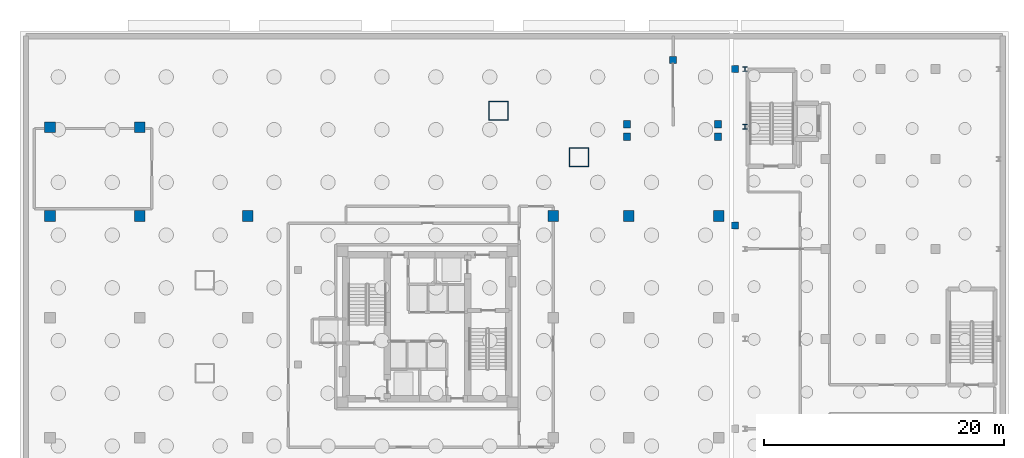
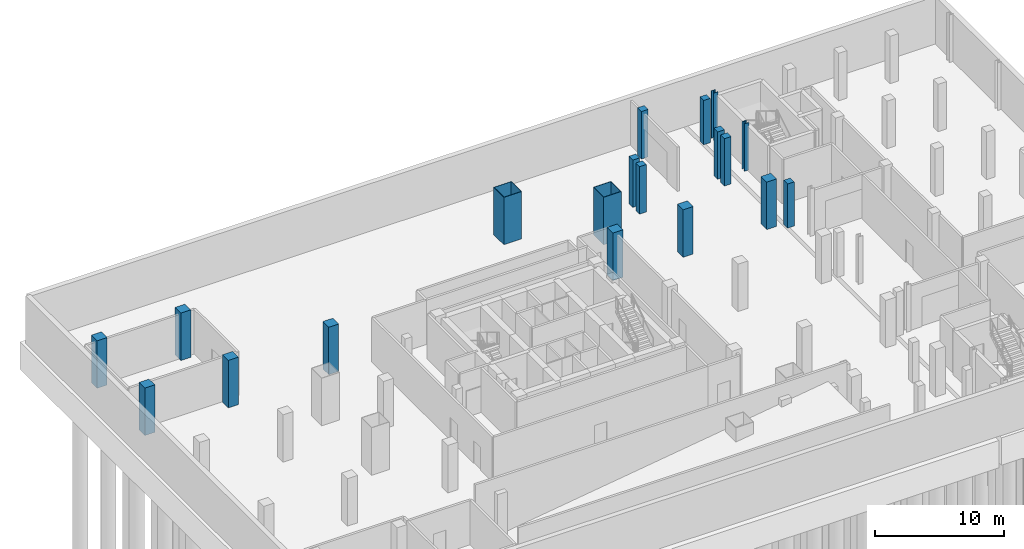
# One storey, part 3 of 15: 19 columns.
"""IFC4 building model written with IfcOpenShell, lengths in metres."""

import ifcopenshell
import ifcopenshell.guid

model = None  # the IFC model being written
_history = None  # IfcOwnerHistory: only IFC2X3 demands one
_inside = {}  # id of a spatial element -> (the spatial element, [elements in it])
_under = {}  # id of a project, library or spatial element -> (it, [spatial elements below it])
_declared = {}  # id of a project -> (the project, [libraries it declares])
_typed = {}  # id of a type object -> (the type object, [elements of that type])
_made_of = {}  # id of a material, layer set ... -> (it, [elements and type objects made of it])


def new_model(schema):
    """Start an empty IFC model of exactly this schema.

    Asked for "IFC4X3", IfcOpenShell would pick the latest addendum, in which some entities
    have other attributes; the version numbers below select the first issue.
    IFC2X3 requires an IfcOwnerHistory on every rooted entity: one is made here for all.
    """
    global model, _history
    if schema == "IFC4X3":
        model = ifcopenshell.file(schema_version=(4, 3, 0, 0))
    else:
        model = ifcopenshell.file(schema=schema)
    _inside.clear()
    _under.clear()
    _declared.clear()
    _typed.clear()
    _made_of.clear()
    _history = None
    if model.schema == "IFC2X3":
        org = make("IfcOrganization", Name="unknown")
        user = make(
            "IfcPersonAndOrganization",
            ThePerson=make("IfcPerson", FamilyName="unknown"),
            TheOrganization=org,
        )
        app = make(
            "IfcApplication",
            ApplicationDeveloper=org,
            Version="unknown",
            ApplicationFullName="unknown",
            ApplicationIdentifier="unknown",
        )
        _history = make(
            "IfcOwnerHistory",
            OwningUser=user,
            OwningApplication=app,
            ChangeAction="ADDED",
            CreationDate=0,
        )
    return model


def make(cls, **values):
    """One entity of the class cls with the attributes given. An attribute that is None is left unset."""
    return model.create_entity(
        cls, **{name: value for name, value in values.items() if value is not None}
    )


def rooted(cls, **values):
    """An entity with a GlobalId (a new one), such as an element, a storey or a relation."""
    return make(cls, GlobalId=ifcopenshell.guid.new(), OwnerHistory=_history, **values)


def si_unit(unit_type, name, prefix=None):
    """IfcSIUnit, for example si_unit("LENGTHUNIT", "METRE", prefix="MILLI")."""
    return make("IfcSIUnit", UnitType=unit_type, Prefix=prefix, Name=name)


def assignment(units):
    """IfcUnitAssignment: the units of a project."""
    return None if units is None else make("IfcUnitAssignment", Units=units)


def point(xyz):
    """IfcCartesianPoint."""
    return None if xyz is None else make("IfcCartesianPoint", Coordinates=xyz)


def direction(xyz):
    """IfcDirection."""
    return None if xyz is None else make("IfcDirection", DirectionRatios=xyz)


def frame(location, z_axis=None, x_axis=None):
    """IfcAxis2Placement3D, a coordinate frame: its origin and axes. An axis left out is left unset."""
    return make(
        "IfcAxis2Placement3D",
        Location=point(location),
        Axis=direction(z_axis),
        RefDirection=direction(x_axis),
    )


def frame_2d(location, x_axis=None):
    """IfcAxis2Placement2D, a coordinate frame in the plane: its origin and x axis."""
    return make(
        "IfcAxis2Placement2D", Location=point(location), RefDirection=direction(x_axis)
    )


def origin():
    """The frame at (0, 0, 0) with its axes left unset."""
    return frame((0.0, 0.0, 0.0))


def origin_2d():
    """The frame at (0, 0) in the plane with its x axis left unset."""
    return frame_2d((0.0, 0.0))


def place(relative_to, where):
    """IfcLocalPlacement: puts the frame where relative to a parent placement (None: the world)."""
    return make(
        "IfcLocalPlacement", PlacementRelTo=relative_to, RelativePlacement=where
    )


def context(
    kind, dimensions, precision=None, world=None, true_north=None, identifier=None
):
    """IfcGeometricRepresentationContext, for example the 3D "Model" context."""
    return make(
        "IfcGeometricRepresentationContext",
        ContextIdentifier=identifier,
        ContextType=kind,
        CoordinateSpaceDimension=dimensions,
        Precision=precision,
        WorldCoordinateSystem=world,
        TrueNorth=true_north,
    )


def subcontext(parent, identifier, kind, view, scale=None):
    """IfcGeometricRepresentationSubContext, for example "Body" below "Model"."""
    return make(
        "IfcGeometricRepresentationSubContext",
        ContextIdentifier=identifier,
        ContextType=kind,
        ParentContext=parent,
        TargetScale=scale,
        TargetView=view,
    )


def project(units=None, contexts=None):
    """IfcProject with its units and contexts."""
    return rooted(
        "IfcProject",
        Name="project",
        RepresentationContexts=contexts,
        UnitsInContext=assignment(units),
    )


def spatial(cls, under=None, at=None, **own):
    """A site, building, storey or space (cls), placed at a placement, below another one or the project."""
    s = rooted(cls, ObjectPlacement=at, **own)
    if under is not None:
        _under.setdefault(under.id(), (under, []))[1].append(s)
    return s


def profile(cls, at=None, kind="AREA", **sizes):
    """A parametric profile (cls). Its sizes go by their IFC names, for example OverallWidth=200.0."""
    return make(cls, ProfileType=kind, Position=at, **sizes)


def rectangle(**sizes):
    """IfcRectangleProfileDef."""
    return profile("IfcRectangleProfileDef", **sizes)


def hollow_rectangle(**sizes):
    """IfcRectangleHollowProfileDef."""
    return profile("IfcRectangleHollowProfileDef", **sizes)


def i_section(**sizes):
    """IfcIShapeProfileDef."""
    return profile("IfcIShapeProfileDef", **sizes)


def extrude(swept, where, along, depth):
    """IfcExtrudedAreaSolid: the profile swept, set in the frame where, extruded along a direction by depth."""
    return make(
        "IfcExtrudedAreaSolid",
        SweptArea=swept,
        Position=where,
        ExtrudedDirection=direction(along),
        Depth=depth,
    )


def shape(context_of_items, identifier, shape_type, items):
    """IfcShapeRepresentation: the items that make up one representation, for example the "Body"."""
    return make(
        "IfcShapeRepresentation",
        ContextOfItems=context_of_items,
        RepresentationIdentifier=identifier,
        RepresentationType=shape_type,
        Items=items,
    )


def material(Name=None, Category=None):
    """IfcMaterial."""
    return make("IfcMaterial", Name=Name, Category=Category)


def material_profile(
    of_material, cross_section, Name=None, Category=None, Priority=None
):
    """IfcMaterialProfile: a cross section and its material."""
    return make(
        "IfcMaterialProfile",
        Name=Name,
        Material=of_material,
        Profile=cross_section,
        Priority=Priority,
        Category=Category,
    )


def profile_set(profiles, Name=None, composite=None):
    """IfcMaterialProfileSet."""
    return make(
        "IfcMaterialProfileSet",
        Name=Name,
        MaterialProfiles=profiles,
        CompositeProfile=composite,
    )


def made_of(thing, what):
    """Note that an element or type object is made of a material, layer set ...; save() writes the relation."""
    if what is not None:
        _made_of.setdefault(what.id(), (what, []))[1].append(thing)
    return thing


def type_object(cls, material=None, **own):
    """A type object (cls), such as IfcWallType, which elements share."""
    return made_of(rooted(cls, **own), material)


def element(
    cls,
    number,
    at=None,
    inside=None,
    cuts=None,
    type_object=None,
    material=None,
    context=None,
    identifier="Body",
    shape_type=None,
    held_by="IfcProductDefinitionShape",
    body=None,
    shapes=None,
    **own,
):
    """One element of the class cls, such as IfcWall. Its Tag is "e" and its number.

    at: its placement. inside: the storey or other place that contains it. cuts: it is an
    opening in that element (IfcRelVoidsElement). A single representation is given by context,
    identifier, shape_type and body (its items); several are given by shapes. held_by: the class
    of the entity that holds the representations. save() writes the other relations.
    """
    e = rooted(cls, Tag="e%d" % number, ObjectPlacement=at, **own)
    if body is not None:
        shapes = [shape(context, identifier, shape_type, body)]
    if shapes is not None:
        e.Representation = make(held_by, Representations=shapes)
    if inside is not None:
        _inside.setdefault(inside.id(), (inside, []))[1].append(e)
    if cuts is not None:
        rooted(
            "IfcRelVoidsElement", RelatingBuildingElement=cuts, RelatedOpeningElement=e
        )
    if type_object is not None:
        _typed.setdefault(type_object.id(), (type_object, []))[1].append(e)
    return made_of(e, material)


def aggregate(whole, parts):
    """IfcRelAggregates: a whole, such as a stair, and the parts it consists of."""
    return rooted("IfcRelAggregates", RelatingObject=whole, RelatedObjects=parts)


def save(model, path):
    """Write the relations noted so far, then the file.

    IfcRelAggregates (storeys below a building ...), IfcRelContainedInSpatialStructure (elements
    in a storey), IfcRelDefinesByType, IfcRelAssociatesMaterial and IfcRelDeclares: one each for
    every whole, place, type object, material and project.
    """
    for whole, parts in _under.values():
        aggregate(whole, parts)
    for where, things in _inside.values():
        rooted(
            "IfcRelContainedInSpatialStructure",
            RelatedElements=things,
            RelatingStructure=where,
        )
    for kind, things in _typed.values():
        rooted("IfcRelDefinesByType", RelatedObjects=things, RelatingType=kind)
    for what, things in _made_of.values():
        rooted("IfcRelAssociatesMaterial", RelatedObjects=things, RelatingMaterial=what)
    for by, libraries in _declared.values():
        rooted("IfcRelDeclares", RelatingContext=by, RelatedDefinitions=libraries)
    model.write(path)


model = new_model("IFC4")

# Units and contexts
model_context = context("Model", 3, precision=1e-05, world=origin(), true_north=direction((0.0, 1.0)))
body_context = subcontext(model_context, "Body", "Model", "MODEL_VIEW")
ifc_project = project(units=[si_unit("LENGTHUNIT", "METRE"), si_unit("AREAUNIT", "SQUARE_METRE"), si_unit("VOLUMEUNIT", "CUBIC_METRE"), si_unit("PLANEANGLEUNIT", "RADIAN"), si_unit("MASSUNIT", "GRAM", prefix="KILO")], contexts=[model_context])

# Site, building, storey
site_placement = place(None, origin())
site = spatial("IfcSite", under=ifc_project, at=site_placement, CompositionType="ELEMENT")
building_placement = place(site_placement, origin())
building = spatial("IfcBuilding", under=site, at=building_placement, Name="Mersakhor Tower and Convention Hall", CompositionType="ELEMENT")
storey_placement = place(building_placement, frame((0.0, 0.0, -9.0)))
storey = spatial("IfcBuildingStorey", under=building, at=storey_placement, Name="B02", CompositionType="ELEMENT", Elevation=-9.0)

# Columns
ifc_material_1 = material(Name="Concrete C70/85 in S460M steel box", Category="concrete")
ifc_material_profile_1 = material_profile(ifc_material_1, hollow_rectangle(XDim=1.60009765625, YDim=1.60009765625, WallThickness=0.0400390625, at=origin_2d()), Name="SHS 1600x1600x40")
ifc_profile_set_1 = profile_set([ifc_material_profile_1], Name="Concrete C70/85 in S460M steel box")
column_type_1 = type_object("IfcColumnType", Name="COL-CFT-1600", PredefinedType="COLUMN", material=ifc_profile_set_1)
for number, where, z_axis, x_axis, name in (
    (1, (34.933349609375, 44.78271484375, 0.0), (0.0, 0.0, 1.0), (1.0, 0.0, 0.0), "B02 Mega-Column Pedestal PIL-F1-2"),
    (2, (41.64990234375, 40.904541015625, 0.0), (0.0, 0.0, 1.0), (1.0, 0.0, 0.0), "B02 Mega-Column Pedestal PIL-F2-1"),
):
    element("IfcColumn", number, at=place(storey_placement, frame(where, z_axis=z_axis, x_axis=x_axis)), inside=storey, type_object=column_type_1, Name=name, PredefinedType="COLUMN", context=body_context, shape_type="SweptSolid", body=[
        extrude(hollow_rectangle(XDim=1.60009765625, YDim=1.60009765625, WallThickness=0.0400390625, at=origin_2d()), origin(), (0.0, 0.0, 1.0), 4.5),
    ])
ifc_material_2 = material(Name="Concrete C50/60", Category="concrete")
ifc_material_profile_2 = material_profile(ifc_material_2, rectangle(XDim=0.60009765625, YDim=0.60009765625, at=origin_2d()), Name="RC 600x600")
ifc_profile_set_2 = profile_set([ifc_material_profile_2], Name="Concrete C50/60")
column_type_2 = type_object("IfcColumnType", Name="COL-RC-600", PredefinedType="COLUMN", material=ifc_profile_set_2)
for number, where, z_axis, x_axis, name in (
    (3, (45.64990234375, 42.60009765625, 0.0), (0.0, 0.0, 1.0), (1.0, 0.0, 0.0), "B02 Plaza and Ramp Support Column RPC1"),
    (4, (53.25, 42.60009765625, 0.0), (0.0, 0.0, 1.0), (1.0, 0.0, 0.0), "B02 Plaza and Ramp Support Column RPC2"),
    (5, (49.5, 49.0, 0.0), (0.0, 0.0, 1.0), (1.0, 0.0, 0.0), "B02 Plaza and Ramp Support Column APN1"),
    (6, (45.64990234375, 43.64990234375, 0.0), (0.0, 0.0, 1.0), (1.0, 0.0, 0.0), "B02 Plaza and Ramp Support Column RPC3"),
    (7, (53.25, 43.64990234375, 0.0), (0.0, 0.0, 1.0), (1.0, 0.0, 0.0), "B02 Plaza and Ramp Support Column RPC4"),
):
    element("IfcColumn", number, at=place(storey_placement, frame(where, z_axis=z_axis, x_axis=x_axis)), inside=storey, type_object=column_type_2, Name=name, PredefinedType="COLUMN", context=body_context, shape_type="SweptSolid", body=[
        extrude(rectangle(XDim=0.60009765625, YDim=0.60009765625, at=origin_2d()), origin(), (0.0, 0.0, 1.0), 4.5),
    ])
for number, where, z_axis, x_axis, name in (
    (8, (54.64990234375, 35.199951171875, 0.0), (0.0, 0.0, 1.0), (1.0, 0.0, 0.0), "B02 Movement Joint West Support Column MJW-4"),
    (9, (54.64990234375, 48.25, 0.0), (0.0, 0.0, 1.0), (1.0, 0.0, 0.0), "B02 Movement Joint West Support Column MJW-5"),
):
    element("IfcColumn", number, at=place(storey_placement, frame(where, z_axis=z_axis, x_axis=x_axis)), inside=storey, type_object=column_type_2, Name=name, PredefinedType="COLUMN", context=body_context, shape_type="SweptSolid", body=[
        extrude(rectangle(XDim=0.60009765625, YDim=0.60009765625, at=origin_2d()), origin(), (0.0, 0.0, 1.0), 4.199951171875),
    ])
ifc_material_3 = material(Name="Concrete C60/75", Category="concrete")
ifc_material_profile_3 = material_profile(ifc_material_3, rectangle(XDim=0.89990234375, YDim=0.89990234375, at=origin_2d()), Name="RC 900x900")
ifc_profile_set_3 = profile_set([ifc_material_profile_3], Name="Concrete C60/75")
column_type_3 = type_object("IfcColumnType", Name="COL-RC-900", PredefinedType="COLUMN", material=ifc_profile_set_3)
for number, where, z_axis, x_axis, name in (
    (10, (-2.5, 36.0, 0.0), (0.0, 0.0, 1.0), (1.0, 0.0, 0.0), "B02 Car Park Column G1-4"),
    (11, (-2.5, 43.39990234375, 0.0), (0.0, 0.0, 1.0), (1.0, 0.0, 0.0), "B02 Car Park Column G1-5"),
    (12, (5.0, 36.0, 0.0), (0.0, 0.0, 1.0), (1.0, 0.0, 0.0), "B02 Car Park Column G2-4"),
    (13, (5.0, 43.39990234375, 0.0), (0.0, 0.0, 1.0), (1.0, 0.0, 0.0), "B02 Car Park Column G2-5"),
    (14, (14.0, 36.0, 0.0), (0.0, 0.0, 1.0), (1.0, 0.0, 0.0), "B02 Car Park Column G3-4"),
    (15, (39.5, 36.0, 0.0), (0.0, 0.0, 1.0), (1.0, 0.0, 0.0), "B02 Car Park Column G4-4"),
    (16, (45.800048828125, 36.0, 0.0), (0.0, 0.0, 1.0), (1.0, 0.0, 0.0), "B02 Car Park Column G5-4"),
    (17, (53.300048828125, 36.0, 0.0), (0.0, 0.0, 1.0), (1.0, 0.0, 0.0), "B02 Car Park Column G6-4"),
):
    element("IfcColumn", number, at=place(storey_placement, frame(where, z_axis=z_axis, x_axis=x_axis)), inside=storey, type_object=column_type_3, Name=name, PredefinedType="COLUMN", context=body_context, shape_type="SweptSolid", body=[
        extrude(rectangle(XDim=0.89990234375, YDim=0.89990234375, at=origin_2d()), origin(), (0.0, 0.0, 1.0), 4.5),
    ])
ifc_material_4 = material(Name="Steel S355", Category="steel")
ifc_material_profile_4 = material_profile(ifc_material_4, i_section(OverallWidth=0.39892578125, OverallDepth=0.3935546875, WebThickness=0.022705078125, FlangeThickness=0.03662109375, at=origin_2d()), Name="UC 356x406x287")
ifc_profile_set_4 = profile_set([ifc_material_profile_4], Name="Steel S355")
column_type_4 = type_object("IfcColumnType", Name="COL-STL-UC356", PredefinedType="COLUMN", material=ifc_profile_set_4)
for number, where, z_axis, x_axis, name in (
    (18, (55.5, 43.449951171875, 0.0), (0.0, 0.0, 1.0), (1.0, 0.0, 0.0), "Convention B02 Perimeter Column SC-W6"),
    (19, (55.5, 48.25, 0.0), (0.0, 0.0, 1.0), (1.0, 0.0, 0.0), "Convention B02 Perimeter Column SC-W7"),
):
    element("IfcColumn", number, at=place(storey_placement, frame(where, z_axis=z_axis, x_axis=x_axis)), inside=storey, type_object=column_type_4, Name=name, PredefinedType="COLUMN", context=body_context, shape_type="SweptSolid", body=[
        extrude(i_section(OverallWidth=0.39892578125, OverallDepth=0.3935546875, WebThickness=0.022705078125, FlangeThickness=0.03662109375, at=origin_2d()), origin(), (0.0, 0.0, 1.0), 4.5),
    ])

save(model, "model.ifc")
